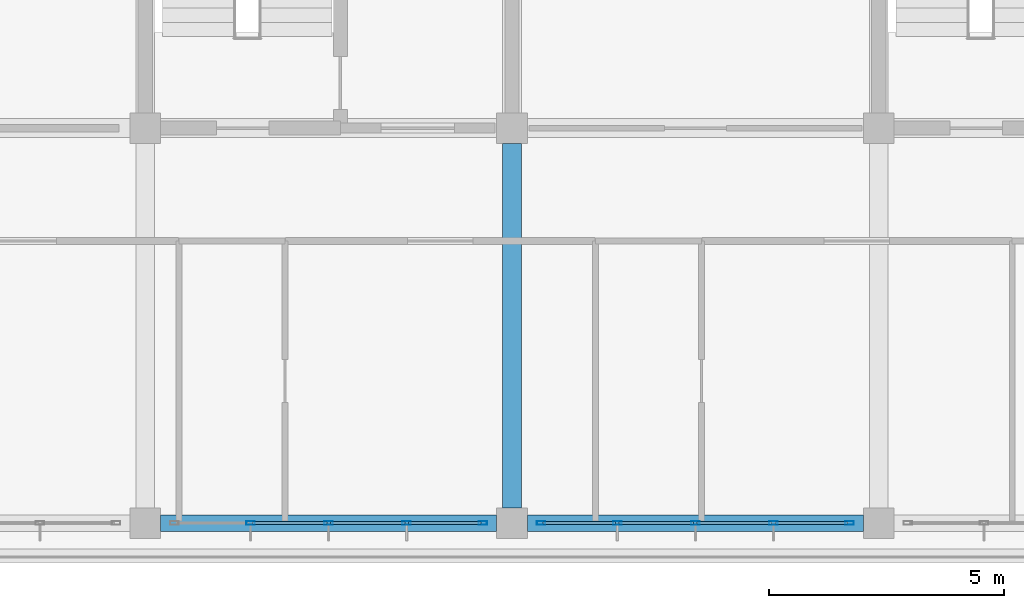
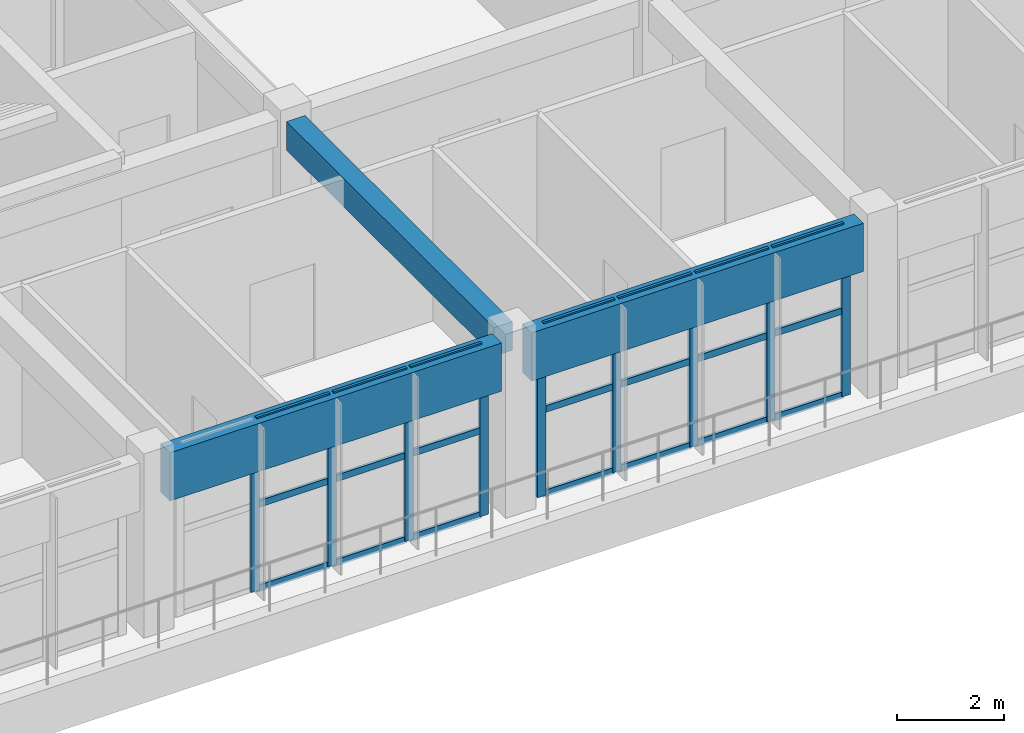
# One storey, part 12 of 57: 30 members, 3 beams, 2 elements without a shape of their own.
"""IFC4 building model written with IfcOpenShell, lengths in metres."""

from ifc_helpers import new_model, si_unit, direction, frame, origin, origin_2d, place, context, subcontext, project, spatial, rectangle, hollow_rectangle, extrude, material, layer, layer_set, material_profile, profile_set, type_object, element, aggregate, save


model = new_model("IFC4")

# Units and contexts
model_context = context("Model", 3, precision=1e-05, world=origin(), true_north=direction((0.0, 1.0)))
body_context = subcontext(model_context, "Body", "Model", "MODEL_VIEW")
ifc_project = project(units=[si_unit("LENGTHUNIT", "METRE"), si_unit("AREAUNIT", "SQUARE_METRE"), si_unit("VOLUMEUNIT", "CUBIC_METRE"), si_unit("PLANEANGLEUNIT", "RADIAN"), si_unit("MASSUNIT", "GRAM", prefix="KILO")], contexts=[model_context])

# Site, building, storey
site_placement = place(None, origin())
site = spatial("IfcSite", under=ifc_project, at=site_placement, CompositionType="ELEMENT")
building_placement = place(site_placement, origin())
building = spatial("IfcBuilding", under=site, at=building_placement, Name="Zizhar Promenade General Hospital", CompositionType="ELEMENT")
storey_placement = place(building_placement, frame((0.0, 0.0, 22.199951171875)))
storey = spatial("IfcBuildingStorey", under=building, at=storey_placement, Name="L05", CompositionType="ELEMENT", Elevation=22.199951171875)

# Beams
ifc_material_1 = material(Name="Precast concrete C40/50", Category="concrete")
ifc_material_profile_1 = material_profile(ifc_material_1, rectangle(XDim=0.35009765625, YDim=1.10009765625, at=origin_2d()))
ifc_profile_set_1 = profile_set([ifc_material_profile_1], Name="Precast concrete C40/50")
beam_type_1 = type_object("IfcBeamType", Name="BM-PC-BAND1100", PredefinedType="SPANDREL", material=ifc_profile_set_1)
for number, where, z_axis, x_axis, name in (
    (1, (47.125, 0.0, 3.360107421875), (1.0, 0.0, 0.0), (0.0, 1.0, 0.0), "Grid Beam X L05 (6-0)"),
    (2, (54.925048828125, 0.0, 3.360107421875), (1.0, 0.0, 0.0), (0.0, 1.0, 0.0), "Grid Beam X L05 (7-0)"),
):
    element("IfcBeam", number, at=place(storey_placement, frame(where, z_axis=z_axis, x_axis=x_axis)), inside=storey, type_object=beam_type_1, Name=name, PredefinedType="SPANDREL", context=body_context, shape_type="SweptSolid", body=[
        extrude(rectangle(XDim=0.35009765625, YDim=1.10009765625, at=origin_2d()), origin(), (0.0, 0.0, 1.0), 7.14990234375),
    ])
ifc_material_2 = material(Name="Concrete C35/45", Category="concrete")
ifc_material_profile_2 = material_profile(ifc_material_2, rectangle(XDim=0.39990234375, YDim=0.64990234375, at=origin_2d()))
ifc_profile_set_2 = profile_set([ifc_material_profile_2], Name="Concrete C35/45")
beam_type_2 = type_object("IfcBeamType", Name="BM-RC-400x650", PredefinedType="BEAM", material=ifc_profile_set_2)
beam_placement = place(storey_placement, frame((54.60009765625, 0.324951171875, 3.5849609375), z_axis=(0.0, 1.0, 0.0), x_axis=(-1.0, 0.0, 0.0)))
element("IfcBeam", 3, at=beam_placement, inside=storey, type_object=beam_type_2, Name="Grid Beam Y L05 (7-0)", PredefinedType="BEAM", context=body_context, shape_type="SweptSolid", body=[
    extrude(rectangle(XDim=0.39990234375, YDim=0.64990234375, at=origin_2d()), origin(), (0.0, 0.0, 1.0), 7.75),
])

# Curtain wall, members
ifc_material_3 = material(Name="Anodised aluminium 6063-T6 and low-E glass", Category="aluminium")
ifc_layer = layer(ifc_material_3, 0.159912109375)
ifc_layer_set = layer_set([ifc_layer], Name="Anodised aluminium 6063-T6 and low-E glass")
curtain_wall_type = type_object("IfcCurtainWallType", Name="CW-WARD-RIB", PredefinedType="NOTDEFINED", material=ifc_layer_set)
curtain_wall_1_placement = place(storey_placement, origin())
curtain_wall_1 = element("IfcCurtainWall", 4, at=curtain_wall_1_placement, inside=storey, type_object=curtain_wall_type, Name="Ward Ribbon Curtain Wall L05-17-7", PredefinedType="NOTDEFINED")
ifc_material_4 = material(Name="Anodised aluminium 6063-T6", Category="aluminium")
ifc_material_profile_3 = material_profile(ifc_material_4, hollow_rectangle(XDim=0.080078125, YDim=0.179931640625, WallThickness=0.0048828125, at=origin_2d()))
ifc_profile_set_3 = profile_set([ifc_material_profile_3], Name="Anodised aluminium 6063-T6")
member_type_1 = type_object("IfcMemberType", Name="CWM-ALU-180x80", PredefinedType="MULLION", material=ifc_profile_set_3)
member_1_placement = place(storey_placement, frame((61.780029296875, 0.0, 0.0), z_axis=(0.0, 0.0, 1.0), x_axis=(0.0, -1.0, 0.0)))
member_1 = element("IfcMember", 5, at=member_1_placement, type_object=member_type_1, Name="CW-13 mullion 1", PredefinedType="MULLION", context=body_context, shape_type="SweptSolid", body=[
    extrude(hollow_rectangle(XDim=0.080078125, YDim=0.179931640625, WallThickness=0.0048828125, at=origin_2d()), origin(), (0.0, 0.0, 1.0), 3.900146484375),
])
member_2_placement = place(storey_placement, frame((60.159912109375, 0.0, 0.0), z_axis=(0.0, 0.0, 1.0), x_axis=(0.0, -1.0, 0.0)))
member_2 = element("IfcMember", 6, at=member_2_placement, type_object=member_type_1, Name="CW-13 mullion 2", PredefinedType="MULLION", context=body_context, shape_type="SweptSolid", body=[
    extrude(hollow_rectangle(XDim=0.080078125, YDim=0.179931640625, WallThickness=0.0048828125, at=origin_2d()), origin(), (0.0, 0.0, 1.0), 3.900146484375),
])
member_3_placement = place(storey_placement, frame((58.5, 0.0, 0.0), z_axis=(0.0, 0.0, 1.0), x_axis=(0.0, -1.0, 0.0)))
member_3 = element("IfcMember", 7, at=member_3_placement, type_object=member_type_1, Name="CW-13 mullion 3", PredefinedType="MULLION", context=body_context, shape_type="SweptSolid", body=[
    extrude(hollow_rectangle(XDim=0.080078125, YDim=0.179931640625, WallThickness=0.0048828125, at=origin_2d()), origin(), (0.0, 0.0, 1.0), 3.900146484375),
])
member_4_placement = place(storey_placement, frame((56.840087890625, 0.0, 0.0), z_axis=(0.0, 0.0, 1.0), x_axis=(0.0, -1.0, 0.0)))
member_4 = element("IfcMember", 8, at=member_4_placement, type_object=member_type_1, Name="CW-13 mullion 4", PredefinedType="MULLION", context=body_context, shape_type="SweptSolid", body=[
    extrude(hollow_rectangle(XDim=0.080078125, YDim=0.179931640625, WallThickness=0.0048828125, at=origin_2d()), origin(), (0.0, 0.0, 1.0), 3.900146484375),
])
member_5_placement = place(storey_placement, frame((55.219970703125, 0.0, 0.0), z_axis=(0.0, 0.0, 1.0), x_axis=(0.0, -1.0, 0.0)))
member_5 = element("IfcMember", 9, at=member_5_placement, type_object=member_type_1, Name="CW-13 mullion 5", PredefinedType="MULLION", context=body_context, shape_type="SweptSolid", body=[
    extrude(hollow_rectangle(XDim=0.080078125, YDim=0.179931640625, WallThickness=0.0048828125, at=origin_2d()), origin(), (0.0, 0.0, 1.0), 3.900146484375),
])

curtain_wall_2_placement = place(storey_placement, origin())
curtain_wall_2 = element("IfcCurtainWall", 10, at=curtain_wall_2_placement, inside=storey, type_object=curtain_wall_type, Name="Ward Ribbon Curtain Wall L05-17-8", PredefinedType="NOTDEFINED")
member_6_placement = place(storey_placement, frame((53.97998046875, 0.0, 0.0), z_axis=(0.0, 0.0, 1.0), x_axis=(0.0, -1.0, 0.0)))
member_6 = element("IfcMember", 11, at=member_6_placement, type_object=member_type_1, Name="CW-13 mullion 1", PredefinedType="MULLION", context=body_context, shape_type="SweptSolid", body=[
    extrude(hollow_rectangle(XDim=0.080078125, YDim=0.179931640625, WallThickness=0.0048828125, at=origin_2d()), origin(), (0.0, 0.0, 1.0), 3.900146484375),
])
member_7_placement = place(storey_placement, frame((52.360107421875, 0.0, 0.0), z_axis=(0.0, 0.0, 1.0), x_axis=(0.0, -1.0, 0.0)))
member_7 = element("IfcMember", 12, at=member_7_placement, type_object=member_type_1, Name="CW-13 mullion 2", PredefinedType="MULLION", context=body_context, shape_type="SweptSolid", body=[
    extrude(hollow_rectangle(XDim=0.080078125, YDim=0.179931640625, WallThickness=0.0048828125, at=origin_2d()), origin(), (0.0, 0.0, 1.0), 3.900146484375),
])
member_8_placement = place(storey_placement, frame((50.699951171875, 0.0, 0.0), z_axis=(0.0, 0.0, 1.0), x_axis=(0.0, -1.0, 0.0)))
member_8 = element("IfcMember", 13, at=member_8_placement, type_object=member_type_1, Name="CW-13 mullion 3", PredefinedType="MULLION", context=body_context, shape_type="SweptSolid", body=[
    extrude(hollow_rectangle(XDim=0.080078125, YDim=0.179931640625, WallThickness=0.0048828125, at=origin_2d()), origin(), (0.0, 0.0, 1.0), 3.900146484375),
])
member_9_placement = place(storey_placement, frame((49.0400390625, 0.0, 0.0), z_axis=(0.0, 0.0, 1.0), x_axis=(0.0, -1.0, 0.0)))
member_9 = element("IfcMember", 14, at=member_9_placement, type_object=member_type_1, Name="CW-13 mullion 4", PredefinedType="MULLION", context=body_context, shape_type="SweptSolid", body=[
    extrude(hollow_rectangle(XDim=0.080078125, YDim=0.179931640625, WallThickness=0.0048828125, at=origin_2d()), origin(), (0.0, 0.0, 1.0), 3.900146484375),
])

# Member
ifc_material_5 = material(Name="Anodised aluminium 6063-T6", Category="aluminium")
ifc_material_profile_4 = material_profile(ifc_material_5, hollow_rectangle(XDim=0.06005859375, YDim=0.14990234375, WallThickness=0.00390625, at=origin_2d()))
ifc_profile_set_4 = profile_set([ifc_material_profile_4], Name="Anodised aluminium 6063-T6")
member_type_2 = type_object("IfcMemberType", Name="CWT-ALU-150x60", PredefinedType="USERDEFINED", material=ifc_profile_set_4)
member_10_placement = place(storey_placement, frame((61.739990234375, 0.0, 0.030029296875), z_axis=(-1.0, 0.0, 0.0), x_axis=(0.0, -1.0, 0.0)))
member_10 = element("IfcMember", 15, at=member_10_placement, type_object=member_type_2, Name="CW-13 transom 1.1", ObjectType="TRANSOM", PredefinedType="USERDEFINED", context=body_context, shape_type="SweptSolid", body=[
    extrude(hollow_rectangle(XDim=0.06005859375, YDim=0.14990234375, WallThickness=0.00390625, at=origin_2d()), origin(), (0.0, 0.0, 1.0), 1.5400390625),
])

member_11_placement = place(storey_placement, frame((61.739990234375, 0.0, 1.949951171875), z_axis=(-1.0, 0.0, 0.0), x_axis=(0.0, -1.0, 0.0)))
member_11 = element("IfcMember", 16, at=member_11_placement, type_object=member_type_2, Name="CW-13 transom 1.2", ObjectType="TRANSOM", PredefinedType="USERDEFINED", context=body_context, shape_type="SweptSolid", body=[
    extrude(hollow_rectangle(XDim=0.06005859375, YDim=0.14990234375, WallThickness=0.00390625, at=origin_2d()), origin(), (0.0, 0.0, 1.0), 1.5400390625),
])

member_12_placement = place(storey_placement, frame((61.739990234375, 0.0, 3.8701171875), z_axis=(-1.0, 0.0, 0.0), x_axis=(0.0, -1.0, 0.0)))
member_12 = element("IfcMember", 17, at=member_12_placement, type_object=member_type_2, Name="CW-13 transom 1.3", ObjectType="TRANSOM", PredefinedType="USERDEFINED", context=body_context, shape_type="SweptSolid", body=[
    extrude(hollow_rectangle(XDim=0.06005859375, YDim=0.14990234375, WallThickness=0.00390625, at=origin_2d()), origin(), (0.0, 0.0, 1.0), 1.5400390625),
])

member_13_placement = place(storey_placement, frame((60.1201171875, 0.0, 0.030029296875), z_axis=(-1.0, 0.0, 0.0), x_axis=(0.0, -1.0, 0.0)))
member_13 = element("IfcMember", 18, at=member_13_placement, type_object=member_type_2, Name="CW-13 transom 2.1", ObjectType="TRANSOM", PredefinedType="USERDEFINED", context=body_context, shape_type="SweptSolid", body=[
    extrude(hollow_rectangle(XDim=0.06005859375, YDim=0.14990234375, WallThickness=0.00390625, at=origin_2d()), origin(), (0.0, 0.0, 1.0), 1.580078125),
])

member_14_placement = place(storey_placement, frame((60.1201171875, 0.0, 1.949951171875), z_axis=(-1.0, 0.0, 0.0), x_axis=(0.0, -1.0, 0.0)))
member_14 = element("IfcMember", 19, at=member_14_placement, type_object=member_type_2, Name="CW-13 transom 2.2", ObjectType="TRANSOM", PredefinedType="USERDEFINED", context=body_context, shape_type="SweptSolid", body=[
    extrude(hollow_rectangle(XDim=0.06005859375, YDim=0.14990234375, WallThickness=0.00390625, at=origin_2d()), origin(), (0.0, 0.0, 1.0), 1.580078125),
])

member_15_placement = place(storey_placement, frame((60.1201171875, 0.0, 3.8701171875), z_axis=(-1.0, 0.0, 0.0), x_axis=(0.0, -1.0, 0.0)))
member_15 = element("IfcMember", 20, at=member_15_placement, type_object=member_type_2, Name="CW-13 transom 2.3", ObjectType="TRANSOM", PredefinedType="USERDEFINED", context=body_context, shape_type="SweptSolid", body=[
    extrude(hollow_rectangle(XDim=0.06005859375, YDim=0.14990234375, WallThickness=0.00390625, at=origin_2d()), origin(), (0.0, 0.0, 1.0), 1.580078125),
])

member_16_placement = place(storey_placement, frame((58.4599609375, 0.0, 0.030029296875), z_axis=(-1.0, 0.0, 0.0), x_axis=(0.0, -1.0, 0.0)))
member_16 = element("IfcMember", 21, at=member_16_placement, type_object=member_type_2, Name="CW-13 transom 3.1", ObjectType="TRANSOM", PredefinedType="USERDEFINED", context=body_context, shape_type="SweptSolid", body=[
    extrude(hollow_rectangle(XDim=0.06005859375, YDim=0.14990234375, WallThickness=0.00390625, at=origin_2d()), origin(), (0.0, 0.0, 1.0), 1.580078125),
])

member_17_placement = place(storey_placement, frame((58.4599609375, 0.0, 1.949951171875), z_axis=(-1.0, 0.0, 0.0), x_axis=(0.0, -1.0, 0.0)))
member_17 = element("IfcMember", 22, at=member_17_placement, type_object=member_type_2, Name="CW-13 transom 3.2", ObjectType="TRANSOM", PredefinedType="USERDEFINED", context=body_context, shape_type="SweptSolid", body=[
    extrude(hollow_rectangle(XDim=0.06005859375, YDim=0.14990234375, WallThickness=0.00390625, at=origin_2d()), origin(), (0.0, 0.0, 1.0), 1.580078125),
])

member_18_placement = place(storey_placement, frame((58.4599609375, 0.0, 3.8701171875), z_axis=(-1.0, 0.0, 0.0), x_axis=(0.0, -1.0, 0.0)))
member_18 = element("IfcMember", 23, at=member_18_placement, type_object=member_type_2, Name="CW-13 transom 3.3", ObjectType="TRANSOM", PredefinedType="USERDEFINED", context=body_context, shape_type="SweptSolid", body=[
    extrude(hollow_rectangle(XDim=0.06005859375, YDim=0.14990234375, WallThickness=0.00390625, at=origin_2d()), origin(), (0.0, 0.0, 1.0), 1.580078125),
])

member_19_placement = place(storey_placement, frame((56.800048828125, 0.0, 0.030029296875), z_axis=(-1.0, 0.0, 0.0), x_axis=(0.0, -1.0, 0.0)))
member_19 = element("IfcMember", 24, at=member_19_placement, type_object=member_type_2, Name="CW-13 transom 4.1", ObjectType="TRANSOM", PredefinedType="USERDEFINED", context=body_context, shape_type="SweptSolid", body=[
    extrude(hollow_rectangle(XDim=0.06005859375, YDim=0.14990234375, WallThickness=0.00390625, at=origin_2d()), origin(), (0.0, 0.0, 1.0), 1.5400390625),
])

member_20_placement = place(storey_placement, frame((56.800048828125, 0.0, 1.949951171875), z_axis=(-1.0, 0.0, 0.0), x_axis=(0.0, -1.0, 0.0)))
member_20 = element("IfcMember", 25, at=member_20_placement, type_object=member_type_2, Name="CW-13 transom 4.2", ObjectType="TRANSOM", PredefinedType="USERDEFINED", context=body_context, shape_type="SweptSolid", body=[
    extrude(hollow_rectangle(XDim=0.06005859375, YDim=0.14990234375, WallThickness=0.00390625, at=origin_2d()), origin(), (0.0, 0.0, 1.0), 1.5400390625),
])

member_21_placement = place(storey_placement, frame((56.800048828125, 0.0, 3.8701171875), z_axis=(-1.0, 0.0, 0.0), x_axis=(0.0, -1.0, 0.0)))
member_21 = element("IfcMember", 26, at=member_21_placement, type_object=member_type_2, Name="CW-13 transom 4.3", ObjectType="TRANSOM", PredefinedType="USERDEFINED", context=body_context, shape_type="SweptSolid", body=[
    extrude(hollow_rectangle(XDim=0.06005859375, YDim=0.14990234375, WallThickness=0.00390625, at=origin_2d()), origin(), (0.0, 0.0, 1.0), 1.5400390625),
])

aggregate(curtain_wall_1, [member_1, member_2, member_3, member_4, member_5, member_10, member_11, member_12, member_13, member_14, member_15, member_16, member_17, member_18, member_19, member_20, member_21])

member_22_placement = place(storey_placement, frame((53.93994140625, 0.0, 0.030029296875), z_axis=(-1.0, 0.0, 0.0), x_axis=(0.0, -1.0, 0.0)))
member_22 = element("IfcMember", 27, at=member_22_placement, type_object=member_type_2, Name="CW-13 transom 1.1", ObjectType="TRANSOM", PredefinedType="USERDEFINED", context=body_context, shape_type="SweptSolid", body=[
    extrude(hollow_rectangle(XDim=0.06005859375, YDim=0.14990234375, WallThickness=0.00390625, at=origin_2d()), origin(), (0.0, 0.0, 1.0), 1.5400390625),
])

member_23_placement = place(storey_placement, frame((53.93994140625, 0.0, 1.949951171875), z_axis=(-1.0, 0.0, 0.0), x_axis=(0.0, -1.0, 0.0)))
member_23 = element("IfcMember", 28, at=member_23_placement, type_object=member_type_2, Name="CW-13 transom 1.2", ObjectType="TRANSOM", PredefinedType="USERDEFINED", context=body_context, shape_type="SweptSolid", body=[
    extrude(hollow_rectangle(XDim=0.06005859375, YDim=0.14990234375, WallThickness=0.00390625, at=origin_2d()), origin(), (0.0, 0.0, 1.0), 1.5400390625),
])

member_24_placement = place(storey_placement, frame((53.93994140625, 0.0, 3.8701171875), z_axis=(-1.0, 0.0, 0.0), x_axis=(0.0, -1.0, 0.0)))
member_24 = element("IfcMember", 29, at=member_24_placement, type_object=member_type_2, Name="CW-13 transom 1.3", ObjectType="TRANSOM", PredefinedType="USERDEFINED", context=body_context, shape_type="SweptSolid", body=[
    extrude(hollow_rectangle(XDim=0.06005859375, YDim=0.14990234375, WallThickness=0.00390625, at=origin_2d()), origin(), (0.0, 0.0, 1.0), 1.5400390625),
])

member_25_placement = place(storey_placement, frame((52.320068359375, 0.0, 0.030029296875), z_axis=(-1.0, 0.0, 0.0), x_axis=(0.0, -1.0, 0.0)))
member_25 = element("IfcMember", 30, at=member_25_placement, type_object=member_type_2, Name="CW-13 transom 2.1", ObjectType="TRANSOM", PredefinedType="USERDEFINED", context=body_context, shape_type="SweptSolid", body=[
    extrude(hollow_rectangle(XDim=0.06005859375, YDim=0.14990234375, WallThickness=0.00390625, at=origin_2d()), origin(), (0.0, 0.0, 1.0), 1.580078125),
])

member_26_placement = place(storey_placement, frame((52.320068359375, 0.0, 1.949951171875), z_axis=(-1.0, 0.0, 0.0), x_axis=(0.0, -1.0, 0.0)))
member_26 = element("IfcMember", 31, at=member_26_placement, type_object=member_type_2, Name="CW-13 transom 2.2", ObjectType="TRANSOM", PredefinedType="USERDEFINED", context=body_context, shape_type="SweptSolid", body=[
    extrude(hollow_rectangle(XDim=0.06005859375, YDim=0.14990234375, WallThickness=0.00390625, at=origin_2d()), origin(), (0.0, 0.0, 1.0), 1.580078125),
])

member_27_placement = place(storey_placement, frame((52.320068359375, 0.0, 3.8701171875), z_axis=(-1.0, 0.0, 0.0), x_axis=(0.0, -1.0, 0.0)))
member_27 = element("IfcMember", 32, at=member_27_placement, type_object=member_type_2, Name="CW-13 transom 2.3", ObjectType="TRANSOM", PredefinedType="USERDEFINED", context=body_context, shape_type="SweptSolid", body=[
    extrude(hollow_rectangle(XDim=0.06005859375, YDim=0.14990234375, WallThickness=0.00390625, at=origin_2d()), origin(), (0.0, 0.0, 1.0), 1.580078125),
])

member_28_placement = place(storey_placement, frame((50.659912109375, 0.0, 0.030029296875), z_axis=(-1.0, 0.0, 0.0), x_axis=(0.0, -1.0, 0.0)))
member_28 = element("IfcMember", 33, at=member_28_placement, type_object=member_type_2, Name="CW-13 transom 3.1", ObjectType="TRANSOM", PredefinedType="USERDEFINED", context=body_context, shape_type="SweptSolid", body=[
    extrude(hollow_rectangle(XDim=0.06005859375, YDim=0.14990234375, WallThickness=0.00390625, at=origin_2d()), origin(), (0.0, 0.0, 1.0), 1.579833984375),
])

member_29_placement = place(storey_placement, frame((50.659912109375, 0.0, 1.949951171875), z_axis=(-1.0, 0.0, 0.0), x_axis=(0.0, -1.0, 0.0)))
member_29 = element("IfcMember", 34, at=member_29_placement, type_object=member_type_2, Name="CW-13 transom 3.2", ObjectType="TRANSOM", PredefinedType="USERDEFINED", context=body_context, shape_type="SweptSolid", body=[
    extrude(hollow_rectangle(XDim=0.06005859375, YDim=0.14990234375, WallThickness=0.00390625, at=origin_2d()), origin(), (0.0, 0.0, 1.0), 1.579833984375),
])

member_30_placement = place(storey_placement, frame((50.659912109375, 0.0, 3.8701171875), z_axis=(-1.0, 0.0, 0.0), x_axis=(0.0, -1.0, 0.0)))
member_30 = element("IfcMember", 35, at=member_30_placement, type_object=member_type_2, Name="CW-13 transom 3.3", ObjectType="TRANSOM", PredefinedType="USERDEFINED", context=body_context, shape_type="SweptSolid", body=[
    extrude(hollow_rectangle(XDim=0.06005859375, YDim=0.14990234375, WallThickness=0.00390625, at=origin_2d()), origin(), (0.0, 0.0, 1.0), 1.579833984375),
])

aggregate(curtain_wall_2, [member_6, member_7, member_8, member_9, member_22, member_23, member_24, member_25, member_26, member_27, member_28, member_29, member_30])

save(model, "model.ifc")
